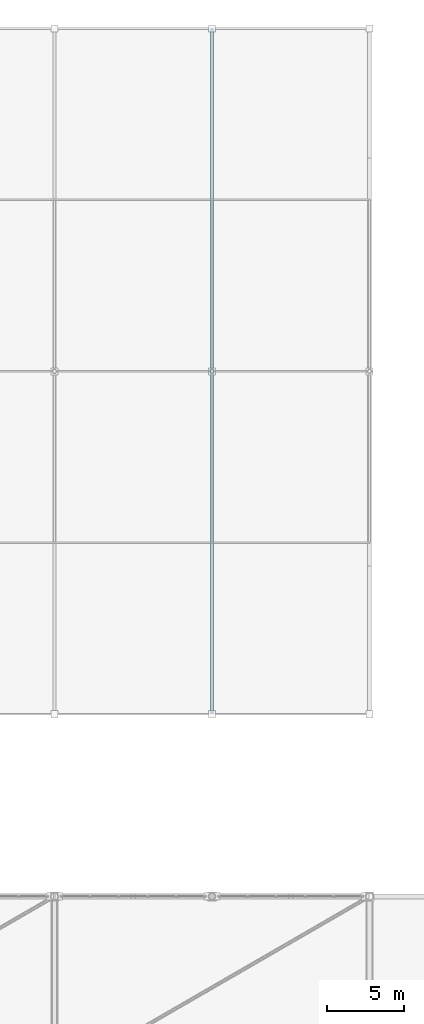
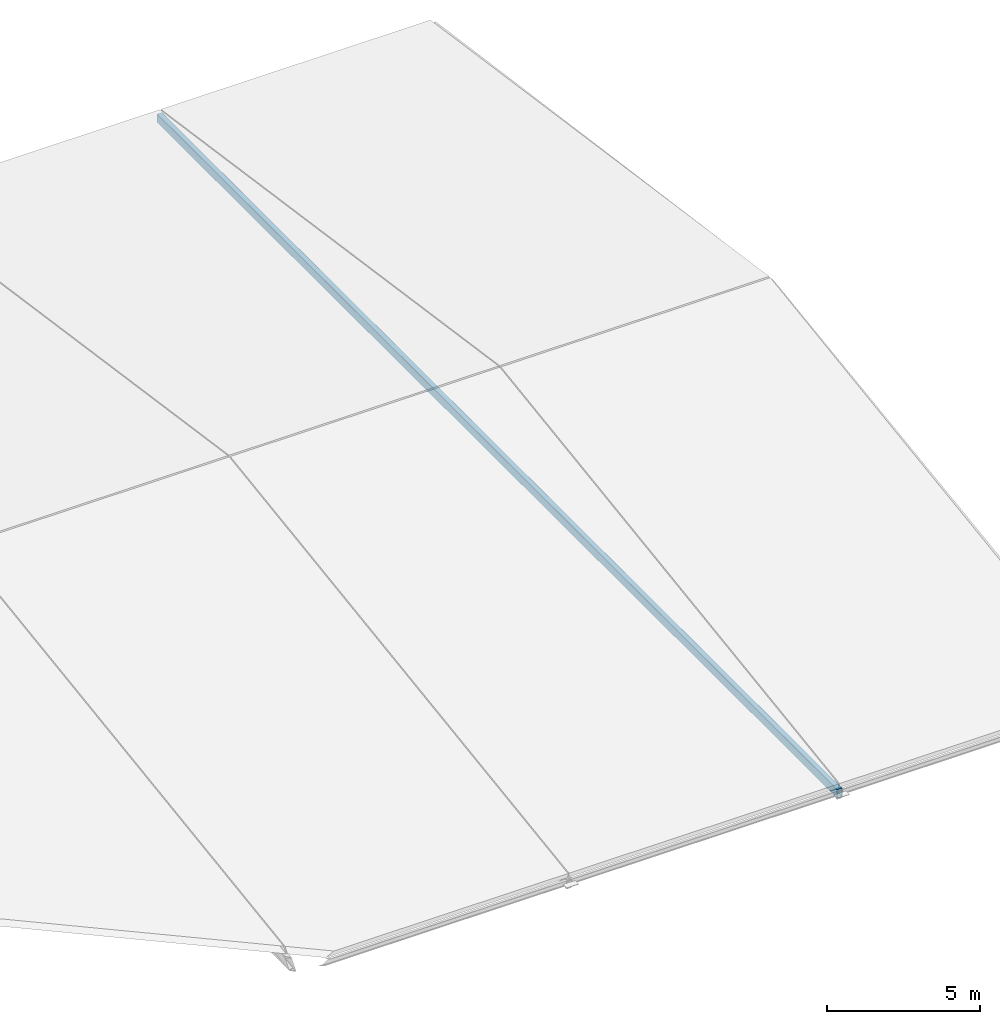
# One storey, part 88 of 135: 1 member.
"""IFC4 building model written with IfcOpenShell, lengths in metres."""

import ifcopenshell
import ifcopenshell.guid

model = None  # the IFC model being written
_history = None  # IfcOwnerHistory: only IFC2X3 demands one
_inside = {}  # id of a spatial element -> (the spatial element, [elements in it])
_under = {}  # id of a project, library or spatial element -> (it, [spatial elements below it])
_declared = {}  # id of a project -> (the project, [libraries it declares])
_typed = {}  # id of a type object -> (the type object, [elements of that type])
_made_of = {}  # id of a material, layer set ... -> (it, [elements and type objects made of it])


def new_model(schema):
    """Start an empty IFC model of exactly this schema.

    Asked for "IFC4X3", IfcOpenShell would pick the latest addendum, in which some entities
    have other attributes; the version numbers below select the first issue.
    IFC2X3 requires an IfcOwnerHistory on every rooted entity: one is made here for all.
    """
    global model, _history
    if schema == "IFC4X3":
        model = ifcopenshell.file(schema_version=(4, 3, 0, 0))
    else:
        model = ifcopenshell.file(schema=schema)
    _inside.clear()
    _under.clear()
    _declared.clear()
    _typed.clear()
    _made_of.clear()
    _history = None
    if model.schema == "IFC2X3":
        org = make("IfcOrganization", Name="unknown")
        user = make(
            "IfcPersonAndOrganization",
            ThePerson=make("IfcPerson", FamilyName="unknown"),
            TheOrganization=org,
        )
        app = make(
            "IfcApplication",
            ApplicationDeveloper=org,
            Version="unknown",
            ApplicationFullName="unknown",
            ApplicationIdentifier="unknown",
        )
        _history = make(
            "IfcOwnerHistory",
            OwningUser=user,
            OwningApplication=app,
            ChangeAction="ADDED",
            CreationDate=0,
        )
    return model


def make(cls, **values):
    """One entity of the class cls with the attributes given. An attribute that is None is left unset."""
    return model.create_entity(
        cls, **{name: value for name, value in values.items() if value is not None}
    )


def rooted(cls, **values):
    """An entity with a GlobalId (a new one), such as an element, a storey or a relation."""
    return make(cls, GlobalId=ifcopenshell.guid.new(), OwnerHistory=_history, **values)


def si_unit(unit_type, name, prefix=None):
    """IfcSIUnit, for example si_unit("LENGTHUNIT", "METRE", prefix="MILLI")."""
    return make("IfcSIUnit", UnitType=unit_type, Prefix=prefix, Name=name)


def assignment(units):
    """IfcUnitAssignment: the units of a project."""
    return None if units is None else make("IfcUnitAssignment", Units=units)


def point(xyz):
    """IfcCartesianPoint."""
    return None if xyz is None else make("IfcCartesianPoint", Coordinates=xyz)


def direction(xyz):
    """IfcDirection."""
    return None if xyz is None else make("IfcDirection", DirectionRatios=xyz)


def frame(location, z_axis=None, x_axis=None):
    """IfcAxis2Placement3D, a coordinate frame: its origin and axes. An axis left out is left unset."""
    return make(
        "IfcAxis2Placement3D",
        Location=point(location),
        Axis=direction(z_axis),
        RefDirection=direction(x_axis),
    )


def frame_2d(location, x_axis=None):
    """IfcAxis2Placement2D, a coordinate frame in the plane: its origin and x axis."""
    return make(
        "IfcAxis2Placement2D", Location=point(location), RefDirection=direction(x_axis)
    )


def origin():
    """The frame at (0, 0, 0) with its axes left unset."""
    return frame((0.0, 0.0, 0.0))


def origin_2d():
    """The frame at (0, 0) in the plane with its x axis left unset."""
    return frame_2d((0.0, 0.0))


def place(relative_to, where):
    """IfcLocalPlacement: puts the frame where relative to a parent placement (None: the world)."""
    return make(
        "IfcLocalPlacement", PlacementRelTo=relative_to, RelativePlacement=where
    )


def context(
    kind, dimensions, precision=None, world=None, true_north=None, identifier=None
):
    """IfcGeometricRepresentationContext, for example the 3D "Model" context."""
    return make(
        "IfcGeometricRepresentationContext",
        ContextIdentifier=identifier,
        ContextType=kind,
        CoordinateSpaceDimension=dimensions,
        Precision=precision,
        WorldCoordinateSystem=world,
        TrueNorth=true_north,
    )


def subcontext(parent, identifier, kind, view, scale=None):
    """IfcGeometricRepresentationSubContext, for example "Body" below "Model"."""
    return make(
        "IfcGeometricRepresentationSubContext",
        ContextIdentifier=identifier,
        ContextType=kind,
        ParentContext=parent,
        TargetScale=scale,
        TargetView=view,
    )


def project(units=None, contexts=None):
    """IfcProject with its units and contexts."""
    return rooted(
        "IfcProject",
        Name="project",
        RepresentationContexts=contexts,
        UnitsInContext=assignment(units),
    )


def spatial(cls, under=None, at=None, **own):
    """A site, building, storey or space (cls), placed at a placement, below another one or the project."""
    s = rooted(cls, ObjectPlacement=at, **own)
    if under is not None:
        _under.setdefault(under.id(), (under, []))[1].append(s)
    return s


def profile(cls, at=None, kind="AREA", **sizes):
    """A parametric profile (cls). Its sizes go by their IFC names, for example OverallWidth=200.0."""
    return make(cls, ProfileType=kind, Position=at, **sizes)


def hollow_rectangle(**sizes):
    """IfcRectangleHollowProfileDef."""
    return profile("IfcRectangleHollowProfileDef", **sizes)


def extrude(swept, where, along, depth):
    """IfcExtrudedAreaSolid: the profile swept, set in the frame where, extruded along a direction by depth."""
    return make(
        "IfcExtrudedAreaSolid",
        SweptArea=swept,
        Position=where,
        ExtrudedDirection=direction(along),
        Depth=depth,
    )


def shape(context_of_items, identifier, shape_type, items):
    """IfcShapeRepresentation: the items that make up one representation, for example the "Body"."""
    return make(
        "IfcShapeRepresentation",
        ContextOfItems=context_of_items,
        RepresentationIdentifier=identifier,
        RepresentationType=shape_type,
        Items=items,
    )


def material(Name=None, Category=None):
    """IfcMaterial."""
    return make("IfcMaterial", Name=Name, Category=Category)


def material_profile(
    of_material, cross_section, Name=None, Category=None, Priority=None
):
    """IfcMaterialProfile: a cross section and its material."""
    return make(
        "IfcMaterialProfile",
        Name=Name,
        Material=of_material,
        Profile=cross_section,
        Priority=Priority,
        Category=Category,
    )


def profile_set(profiles, Name=None, composite=None):
    """IfcMaterialProfileSet."""
    return make(
        "IfcMaterialProfileSet",
        Name=Name,
        MaterialProfiles=profiles,
        CompositeProfile=composite,
    )


def made_of(thing, what):
    """Note that an element or type object is made of a material, layer set ...; save() writes the relation."""
    if what is not None:
        _made_of.setdefault(what.id(), (what, []))[1].append(thing)
    return thing


def type_object(cls, material=None, **own):
    """A type object (cls), such as IfcWallType, which elements share."""
    return made_of(rooted(cls, **own), material)


def element(
    cls,
    number,
    at=None,
    inside=None,
    cuts=None,
    type_object=None,
    material=None,
    context=None,
    identifier="Body",
    shape_type=None,
    held_by="IfcProductDefinitionShape",
    body=None,
    shapes=None,
    **own,
):
    """One element of the class cls, such as IfcWall. Its Tag is "e" and its number.

    at: its placement. inside: the storey or other place that contains it. cuts: it is an
    opening in that element (IfcRelVoidsElement). A single representation is given by context,
    identifier, shape_type and body (its items); several are given by shapes. held_by: the class
    of the entity that holds the representations. save() writes the other relations.
    """
    e = rooted(cls, Tag="e%d" % number, ObjectPlacement=at, **own)
    if body is not None:
        shapes = [shape(context, identifier, shape_type, body)]
    if shapes is not None:
        e.Representation = make(held_by, Representations=shapes)
    if inside is not None:
        _inside.setdefault(inside.id(), (inside, []))[1].append(e)
    if cuts is not None:
        rooted(
            "IfcRelVoidsElement", RelatingBuildingElement=cuts, RelatedOpeningElement=e
        )
    if type_object is not None:
        _typed.setdefault(type_object.id(), (type_object, []))[1].append(e)
    return made_of(e, material)


def aggregate(whole, parts):
    """IfcRelAggregates: a whole, such as a stair, and the parts it consists of."""
    return rooted("IfcRelAggregates", RelatingObject=whole, RelatedObjects=parts)


def save(model, path):
    """Write the relations noted so far, then the file.

    IfcRelAggregates (storeys below a building ...), IfcRelContainedInSpatialStructure (elements
    in a storey), IfcRelDefinesByType, IfcRelAssociatesMaterial and IfcRelDeclares: one each for
    every whole, place, type object, material and project.
    """
    for whole, parts in _under.values():
        aggregate(whole, parts)
    for where, things in _inside.values():
        rooted(
            "IfcRelContainedInSpatialStructure",
            RelatedElements=things,
            RelatingStructure=where,
        )
    for kind, things in _typed.values():
        rooted("IfcRelDefinesByType", RelatedObjects=things, RelatingType=kind)
    for what, things in _made_of.values():
        rooted("IfcRelAssociatesMaterial", RelatedObjects=things, RelatingMaterial=what)
    for by, libraries in _declared.values():
        rooted("IfcRelDeclares", RelatingContext=by, RelatedDefinitions=libraries)
    model.write(path)


model = new_model("IFC4")

# Units and contexts
model_context = context("Model", 3, precision=1e-05, world=origin(), true_north=direction((0.0, 1.0)))
body_context = subcontext(model_context, "Body", "Model", "MODEL_VIEW")
ifc_project = project(units=[si_unit("LENGTHUNIT", "METRE"), si_unit("AREAUNIT", "SQUARE_METRE"), si_unit("VOLUMEUNIT", "CUBIC_METRE"), si_unit("PLANEANGLEUNIT", "RADIAN"), si_unit("MASSUNIT", "GRAM", prefix="KILO")], contexts=[model_context])

# Site, building, storey
site_placement = place(None, origin())
site = spatial("IfcSite", under=ifc_project, at=site_placement, CompositionType="ELEMENT")
building_placement = place(site_placement, origin())
building = spatial("IfcBuilding", under=site, at=building_placement, Name="Brelvane Convention Centre", CompositionType="ELEMENT")
storey_placement = place(building_placement, frame((0.0, 0.0, 15.0)))
storey = spatial("IfcBuildingStorey", under=building, at=storey_placement, Name="L03", CompositionType="ELEMENT", Elevation=15.0)

# Member
ifc_material = material(Name="Steel E350 (350 MPa)", Category="steel")
ifc_material_profile = material_profile(ifc_material, hollow_rectangle(XDim=0.199951171875, YDim=0.35009765625, WallThickness=0.012451171875, InnerFilletRadius=0.012451171875, OuterFilletRadius=0.02490234375, at=origin_2d()), Name="RHS 350x200x12.5")
ifc_profile_set = profile_set([ifc_material_profile], Name="Steel E350 (350 MPa)")
member_type = type_object("IfcMemberType", Name="Steel Chord TR-CH1 (RHS 350x200x12.5)", PredefinedType="CHORD", material=ifc_profile_set)
member_placement = place(storey_placement, frame((214.199951171875, 99.60009765625, -0.35009765625), z_axis=(0.0, 1.0, 0.0), x_axis=(-1.0, 0.0, 0.0)))
element("IfcMember", 1, at=member_placement, inside=storey, type_object=member_type, Name="Ballroom Roof Truss Bottom Chord T5", PredefinedType="CHORD", context=body_context, shape_type="SweptSolid", body=[
    extrude(hollow_rectangle(XDim=0.199951171875, YDim=0.35009765625, WallThickness=0.012451171875, InnerFilletRadius=0.012451171875, OuterFilletRadius=0.02490234375, at=origin_2d()), origin(), (0.0, 0.0, 1.0), 44.39990234375),
])

save(model, "model.ifc")
